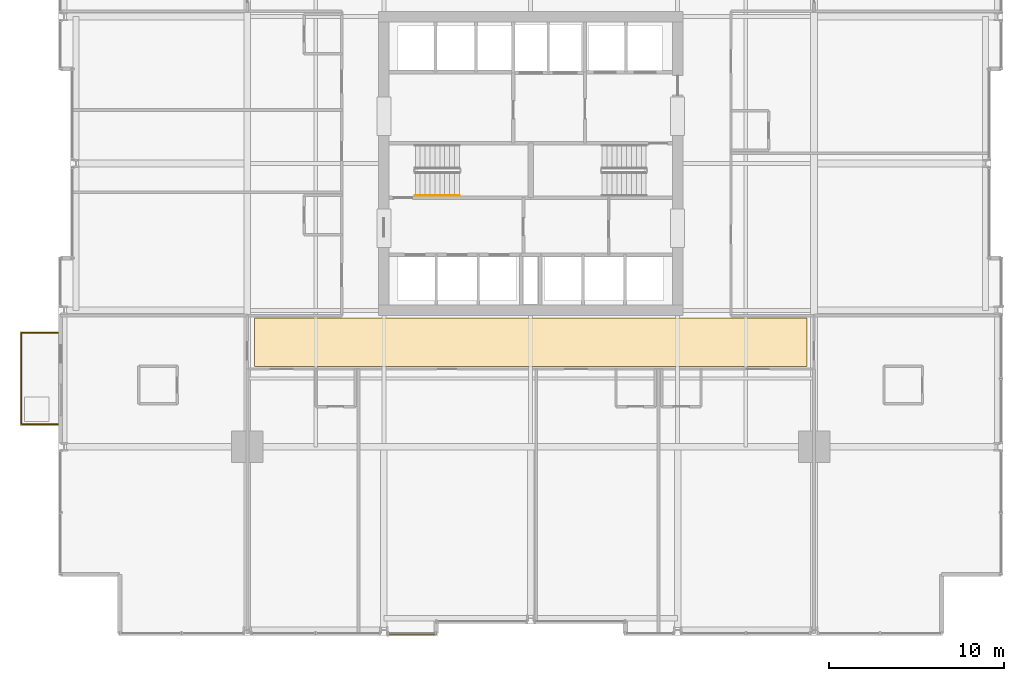
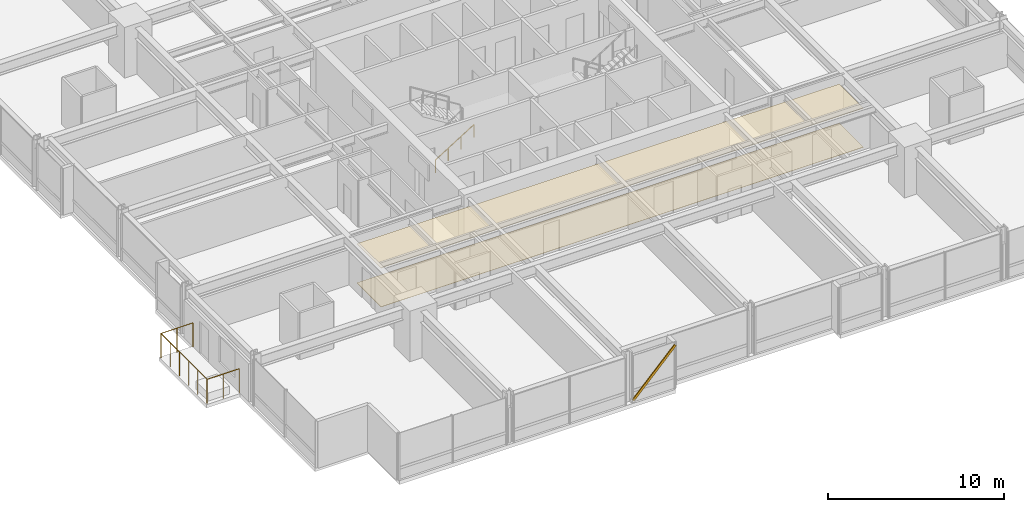
# One storey, part 35 of 37: 2 coverings, 2 railings, 1 shading device.
"""IFC4 building model written with IfcOpenShell, lengths in metres."""

from ifc_helpers import new_model, si_unit, direction, frame, origin, origin_2d, place, context, subcontext, project, spatial, polyline, hollow_rectangle, circle, outline, extrude, material, layer, layer_set, material_profile, profile_set, type_object, element, save


model = new_model("IFC4")

# Units and contexts
model_context = context("Model", 3, precision=1e-05, world=origin(), true_north=direction((0.0, 1.0)))
body_context = subcontext(model_context, "Body", "Model", "MODEL_VIEW")
ifc_project = project(units=[si_unit("LENGTHUNIT", "METRE"), si_unit("AREAUNIT", "SQUARE_METRE"), si_unit("VOLUMEUNIT", "CUBIC_METRE"), si_unit("PLANEANGLEUNIT", "RADIAN"), si_unit("MASSUNIT", "GRAM", prefix="KILO")], contexts=[model_context])

# Site, building, storey
site_placement = place(None, origin())
site = spatial("IfcSite", under=ifc_project, at=site_placement, CompositionType="ELEMENT")
building_placement = place(site_placement, origin())
building = spatial("IfcBuilding", under=site, at=building_placement, Name="Drelvath Grand Hotel", CompositionType="ELEMENT")
storey_placement = place(building_placement, frame((0.0, 0.0, 75.199951171875)))
storey = spatial("IfcBuildingStorey", under=building, at=storey_placement, Name="L18", CompositionType="ELEMENT", Elevation=75.199951171875)

# Railing
ifc_material_1 = material(Name="Painted Steel S275", Category="steel")
railing_type_1 = type_object("IfcRailingType", Name="Core Stair Wall Handrail 900", PredefinedType="HANDRAIL", material=ifc_material_1)
railing_1_placement = place(storey_placement, frame((-6.60009765625, 25.169921875, 0.175048828125)))
element("IfcRailing", 1, at=railing_1_placement, inside=storey, type_object=railing_type_1, Name="L18 ST-1 stair handrail 1", PredefinedType="HANDRAIL", context=body_context, shape_type="SweptSolid", body=[
    extrude(circle(Radius=0.02392578125, at=origin_2d()), frame((0.0, 0.0, 0.8759765625), z_axis=(0.848007534815, 0.0, 0.529984170421), x_axis=(0.0, 1.0, 0.0)), (0.0, 0.0, 1.0), 2.9716796875),
    extrude(circle(Radius=0.02099609375, at=origin_2d()), origin(), (0.0, 0.0, 1.0), 0.851806640625),
    extrude(circle(Radius=0.02099609375, at=origin_2d()), frame((0.840087890625, 0.0, 0.52490234375)), (0.0, 0.0, 1.0), 0.851806640625),
    extrude(circle(Radius=0.02099609375, at=origin_2d()), frame((1.679931640625, 0.0, 1.050048828125)), (0.0, 0.0, 1.0), 0.851806640625),
    extrude(circle(Radius=0.02099609375, at=origin_2d()), frame((2.52001953125, 0.0, 1.574951171875)), (0.0, 0.0, 1.0), 0.851806640625),
])

# Shading device
ifc_material_2 = material(Name="Warm Bronze Anodised Aluminium", Category="aluminium")
ifc_material_profile = material_profile(ifc_material_2, hollow_rectangle(XDim=0.06494140625, YDim=0.159912109375, WallThickness=0.00390625, at=origin_2d()), Name="HSS160X65X4")
ifc_profile_set = profile_set([ifc_material_profile], Name="Warm Bronze Anodised Aluminium")
shading_device_type = type_object("IfcShadingDeviceType", Name="Diagonal Solar Fin Warm Bronze Anodised HSS160X65X4", PredefinedType="USERDEFINED", material=ifc_profile_set)
shading_device_placement = place(storey_placement, frame((-8.1708984375, 0.0400390625, 0.179931640625), z_axis=(0.693322321311, 0.0, 0.720627614494), x_axis=(0.0, 1.0, 0.0)))
element("IfcShadingDevice", 2, at=shading_device_placement, inside=storey, type_object=shading_device_type, Name="L18 Diagonal Anodised Fin CW02-L18-SW3", ObjectType="FIN", PredefinedType="USERDEFINED", context=body_context, shape_type="SweptSolid", body=[
    extrude(hollow_rectangle(XDim=0.06494140625, YDim=0.159912109375, WallThickness=0.00390625, at=origin_2d()), origin(), (0.0, 0.0, 1.0), 3.99658203125),
])

# Coverings
ifc_material_3 = material(Name="Woven Wool Broadloom Carpet")
ifc_layer_1 = layer(ifc_material_3, 0.01806640625)
ifc_layer_set_1 = layer_set([ifc_layer_1], Name="Woven Wool Broadloom Carpet")
covering_type_1 = type_object("IfcCoveringType", Name="Hospitality Broadloom Carpet 18", PredefinedType="FLOORING", material=ifc_layer_set_1)
covering_1_placement = place(storey_placement, origin())
element("IfcCovering", 3, at=covering_1_placement, inside=storey, type_object=covering_type_1, Name="L18 Corridor Broadloom Carpet", PredefinedType="FLOORING", context=body_context, shape_type="SweptSolid", body=[
    extrude(outline(polyline([(15.800048828125, 15.39990234375), (15.800048828125, 18.14990234375), (-15.800048828125, 18.14990234375), (-15.800048828125, 15.39990234375), (15.800048828125, 15.39990234375)])), origin(), (0.0, 0.0, 1.0), 0.01806640625),
])
ifc_material_4 = material(Name="Anodised Aluminium Alloy", Category="aluminium")
ifc_layer_2 = layer(ifc_material_4, 0.0400390625)
ifc_layer_set_2 = layer_set([ifc_layer_2], Name="Anodised Aluminium Alloy")
covering_type_2 = type_object("IfcCoveringType", Name="Perforated Metal Corridor Ceiling 40", PredefinedType="CEILING", material=ifc_layer_set_2)
covering_2_placement = place(storey_placement, frame((0.0, 0.0, 2.68994140625)))
element("IfcCovering", 4, at=covering_2_placement, inside=storey, type_object=covering_type_2, Name="L18 Corridor Acoustic Ceiling", PredefinedType="CEILING", context=body_context, shape_type="SweptSolid", body=[
    extrude(outline(polyline([(15.800048828125, 15.39990234375), (15.800048828125, 18.14990234375), (-15.800048828125, 18.14990234375), (-15.800048828125, 15.39990234375), (15.800048828125, 15.39990234375)])), origin(), (0.0, 0.0, 1.0), 0.0400390625),
])

# Railing
ifc_material_5 = material(Name="Anodised Aluminium and Laminated Glass Balustrade", Category="aluminium")
railing_type_2 = type_object("IfcRailingType", Name="Raised Planter Edge Balustrade 1700", PredefinedType="BALUSTRADE", material=ifc_material_5)
railing_2_placement = place(storey_placement, frame((-27.02001953125, 12.080078125, 0.0)))
element("IfcRailing", 5, at=railing_2_placement, inside=storey, type_object=railing_type_2, Name="L18 Tree Balcony Perimeter Balustrade 1", PredefinedType="BALUSTRADE", context=body_context, shape_type="SweptSolid", body=[
    extrude(circle(Radius=0.02392578125, at=origin_2d()), frame((0.0, 0.0, 1.67578125), z_axis=(-1.0, 0.0, 0.0), x_axis=(0.0, -1.0, 0.0)), (0.0, 0.0, 1.0), 2.10009765625),
    extrude(circle(Radius=0.02392578125, at=origin_2d()), frame((-2.10009765625, 0.0, 1.67578125), z_axis=(0.0, 1.0, 0.0), x_axis=(-1.0, 0.0, 0.0)), (0.0, 0.0, 1.0), 5.239990234375),
    extrude(circle(Radius=0.02392578125, at=origin_2d()), frame((-2.10009765625, 5.239990234375, 1.67578125), z_axis=(1.0, 0.0, 0.0), x_axis=(0.0, 1.0, 0.0)), (0.0, 0.0, 1.0), 2.10009765625),
    extrude(circle(Radius=0.02099609375, at=origin_2d()), origin(), (0.0, 0.0, 1.0), 1.65185546875),
    extrude(circle(Radius=0.02099609375, at=origin_2d()), frame((-1.050048828125, 0.0, 0.0)), (0.0, 0.0, 1.0), 1.65185546875),
    extrude(circle(Radius=0.02099609375, at=origin_2d()), frame((-2.10009765625, 0.0, 0.0)), (0.0, 0.0, 1.0), 1.65185546875),
    extrude(circle(Radius=0.02099609375, at=origin_2d()), frame((-2.10009765625, 1.048095703125, 0.0)), (0.0, 0.0, 1.0), 1.65185546875),
    extrude(circle(Radius=0.02099609375, at=origin_2d()), frame((-2.10009765625, 2.095947265625, 0.0)), (0.0, 0.0, 1.0), 1.65185546875),
    extrude(circle(Radius=0.02099609375, at=origin_2d()), frame((-2.10009765625, 3.14404296875, 0.0)), (0.0, 0.0, 1.0), 1.65185546875),
    extrude(circle(Radius=0.02099609375, at=origin_2d()), frame((-2.10009765625, 4.19189453125, 0.0)), (0.0, 0.0, 1.0), 1.65185546875),
    extrude(circle(Radius=0.02099609375, at=origin_2d()), frame((-2.10009765625, 5.239990234375, 0.0)), (0.0, 0.0, 1.0), 1.65185546875),
    extrude(circle(Radius=0.02099609375, at=origin_2d()), frame((-1.050048828125, 5.239990234375, 0.0)), (0.0, 0.0, 1.0), 1.65185546875),
    extrude(circle(Radius=0.02099609375, at=origin_2d()), frame((0.0, 5.239990234375, 0.0)), (0.0, 0.0, 1.0), 1.65185546875),
])

save(model, "model.ifc")
